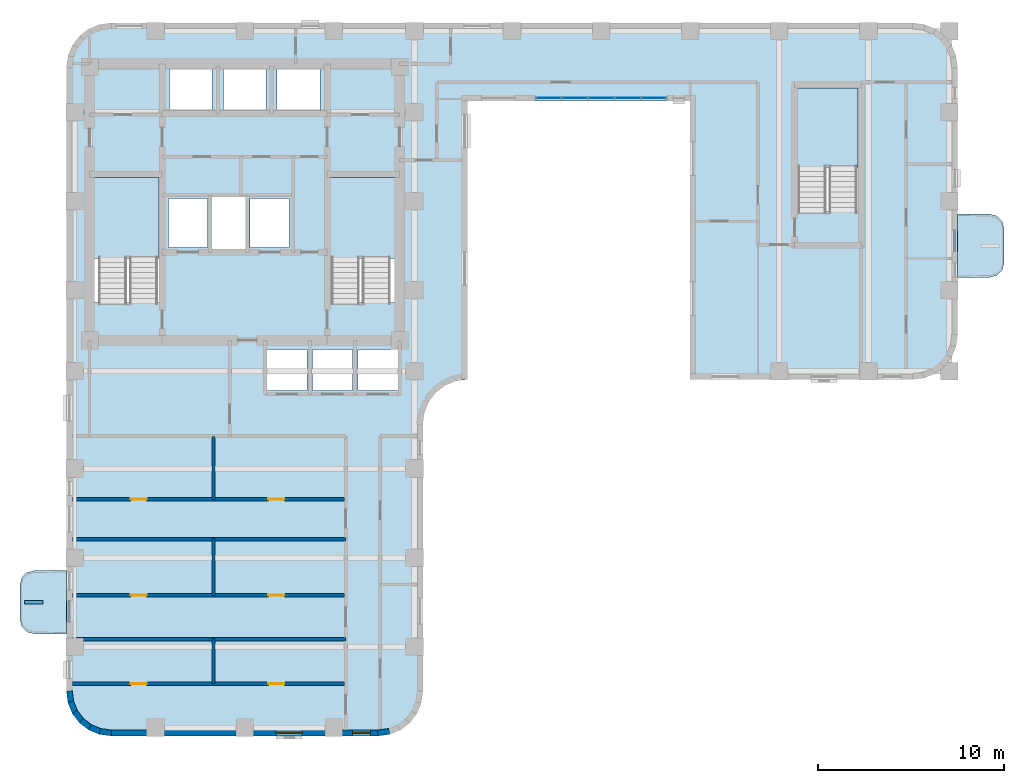
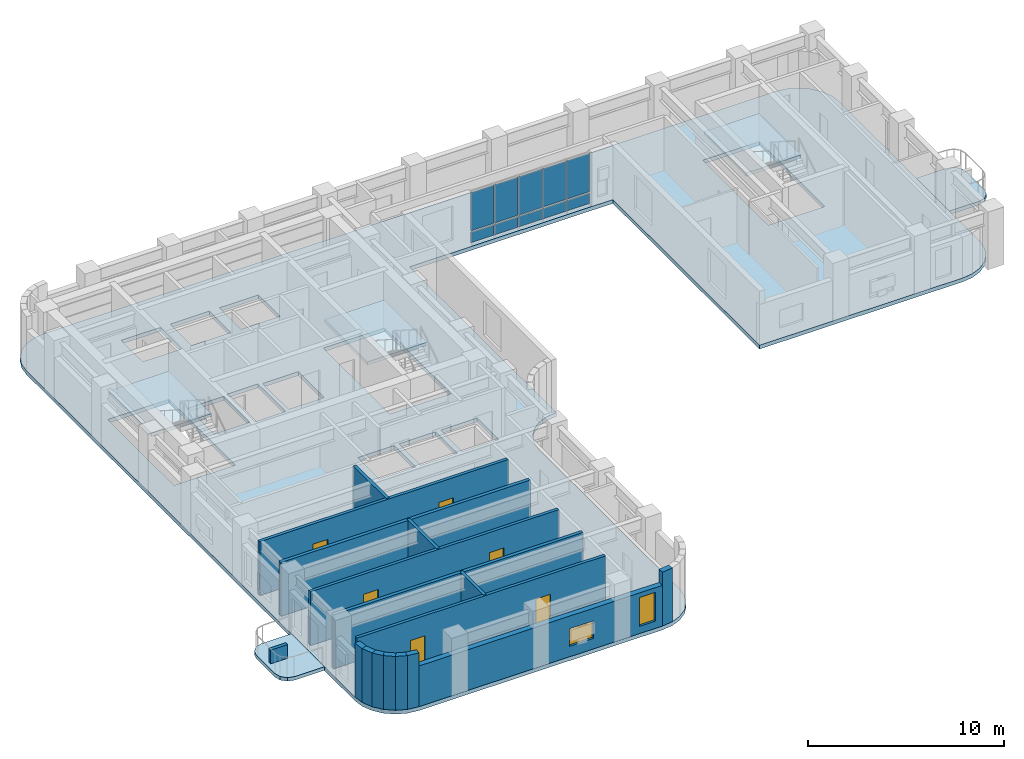
# One storey, part 3 of 11: 17 walls, 10 plates, 6 doors, 6 slabs, 2 windows, 8 openings, 4 elements without a shape of their own.
"""IFC4 building model written with IfcOpenShell, lengths in metres."""

from ifc_helpers import new_model, si_unit, direction, frame, frame_2d, origin, origin_2d, place, context, subcontext, project, spatial, polyline, rectangle, outline, extrude, material, layer, layer_set, type_object, element, fill, aggregate, save


model = new_model("IFC4")

# Units and contexts
model_context = context("Model", 3, precision=1e-05, world=origin(), true_north=direction((0.0, 1.0)))
body_context = subcontext(model_context, "Body", "Model", "MODEL_VIEW")
ifc_project = project(units=[si_unit("LENGTHUNIT", "METRE"), si_unit("AREAUNIT", "SQUARE_METRE"), si_unit("VOLUMEUNIT", "CUBIC_METRE"), si_unit("PLANEANGLEUNIT", "RADIAN"), si_unit("MASSUNIT", "GRAM", prefix="KILO")], contexts=[model_context])

# Site, building, storey
site_placement = place(None, origin())
site = spatial("IfcSite", under=ifc_project, at=site_placement, CompositionType="ELEMENT")
building_placement = place(site_placement, origin())
building = spatial("IfcBuilding", under=site, at=building_placement, Name="Orvandelia Arch Residences", CompositionType="ELEMENT")
storey_placement = place(building_placement, frame((0.0, 0.0, 157.60009765625)))
storey = spatial("IfcBuildingStorey", under=building, at=storey_placement, Name="L41", CompositionType="ELEMENT", Elevation=157.60009765625)

# Curtain wall, plates
ifc_material_1 = material(Name="Anodised Bronze Curtain Wall Assembly")
curtain_wall_type = type_object("IfcCurtainWallType", Name="CW-SYS4-PORTAL", PredefinedType="NOTDEFINED", material=ifc_material_1)
curtain_wall_placement = place(storey_placement, origin())
curtain_wall = element("IfcCurtainWall", 1, at=curtain_wall_placement, inside=storey, type_object=curtain_wall_type, Name="Void-Portal Bridge Curtain Wall L41 1", PredefinedType="NOTDEFINED")
ifc_material_2 = material(Name="Insulated Bronze Aluminium Spandrel Panel", Category="aluminium")
ifc_layer_1 = layer(ifc_material_2, 0.0400390625, Name="Insulated Bronze Aluminium Spandrel Panel", Category="aluminium")
ifc_layer_set_1 = layer_set([ifc_layer_1], Name="Insulated Bronze Aluminium Spandrel Panel")
plate_type_1 = type_object("IfcPlateType", Name="CW-PANEL-SPANDREL", PredefinedType="SHEET", material=ifc_layer_set_1)
plate_1_placement = place(storey_placement, frame((30.77197265625, 43.9599609375, 0.124755859375), z_axis=(0.0, 0.0, 1.0), x_axis=(1.0, 0.0, 0.0)))
plate_1 = element("IfcPlate", 2, at=plate_1_placement, type_object=plate_type_1, Name="Curtain Wall Spandrel Panel CW-L41-1-PS1", PredefinedType="SHEET", context=body_context, shape_type="SweptSolid", body=[
    extrude(rectangle(XDim=1.333984375, YDim=0.0400390625, at=origin_2d()), origin(), (0.0, 0.0, 1.0), 0.62646484375),
])
plate_2_placement = place(storey_placement, frame((32.176025390625, 43.9599609375, 0.124755859375), z_axis=(0.0, 0.0, 1.0), x_axis=(1.0, 0.0, 0.0)))
plate_2 = element("IfcPlate", 3, at=plate_2_placement, type_object=plate_type_1, Name="Curtain Wall Spandrel Panel CW-L41-1-PS2", PredefinedType="SHEET", context=body_context, shape_type="SweptSolid", body=[
    extrude(rectangle(XDim=1.3740234375, YDim=0.0400390625, at=origin_2d()), origin(), (0.0, 0.0, 1.0), 0.62646484375),
])
plate_3_placement = place(storey_placement, frame((33.60009765625, 43.9599609375, 0.124755859375), z_axis=(0.0, 0.0, 1.0), x_axis=(1.0, 0.0, 0.0)))
plate_3 = element("IfcPlate", 4, at=plate_3_placement, type_object=plate_type_1, Name="Curtain Wall Spandrel Panel CW-L41-1-PS3", PredefinedType="SHEET", context=body_context, shape_type="SweptSolid", body=[
    extrude(rectangle(XDim=1.3740234375, YDim=0.0400390625, at=origin_2d()), origin(), (0.0, 0.0, 1.0), 0.62646484375),
])
plate_4_placement = place(storey_placement, frame((35.02392578125, 43.9599609375, 0.124755859375), z_axis=(0.0, 0.0, 1.0), x_axis=(1.0, 0.0, 0.0)))
plate_4 = element("IfcPlate", 5, at=plate_4_placement, type_object=plate_type_1, Name="Curtain Wall Spandrel Panel CW-L41-1-PS4", PredefinedType="SHEET", context=body_context, shape_type="SweptSolid", body=[
    extrude(rectangle(XDim=1.3740234375, YDim=0.0400390625, at=origin_2d()), origin(), (0.0, 0.0, 1.0), 0.62646484375),
])
plate_5_placement = place(storey_placement, frame((36.427978515625, 43.9599609375, 0.124755859375), z_axis=(0.0, 0.0, 1.0), x_axis=(1.0, 0.0, 0.0)))
plate_5 = element("IfcPlate", 6, at=plate_5_placement, type_object=plate_type_1, Name="Curtain Wall Spandrel Panel CW-L41-1-PS5", PredefinedType="SHEET", context=body_context, shape_type="SweptSolid", body=[
    extrude(rectangle(XDim=1.333984375, YDim=0.0400390625, at=origin_2d()), origin(), (0.0, 0.0, 1.0), 0.62646484375),
])
ifc_material_3 = material(Name="Low-E Laminated Double Glazing", Category="glass")
ifc_layer_2 = layer(ifc_material_3, 0.031982421875, Name="Low-E Laminated Double Glazing", Category="glass")
ifc_layer_set_2 = layer_set([ifc_layer_2], Name="Low-E Laminated Double Glazing")
plate_type_2 = type_object("IfcPlateType", Name="CW-PANEL-VISION", PredefinedType="CURTAIN_PANEL", material=ifc_layer_set_2)
plate_6_placement = place(storey_placement, frame((30.77197265625, 43.9599609375, 0.861328125), z_axis=(0.0, 0.0, 1.0), x_axis=(1.0, 0.0, 0.0)))
plate_6 = element("IfcPlate", 7, at=plate_6_placement, type_object=plate_type_2, Name="Curtain Wall Vision Glass Panel CW-L41-1-PV1", PredefinedType="CURTAIN_PANEL", context=body_context, shape_type="SweptSolid", body=[
    extrude(rectangle(XDim=1.333984375, YDim=0.031982421875, at=origin_2d()), origin(), (0.0, 0.0, 1.0), 2.37353515625),
])
plate_7_placement = place(storey_placement, frame((32.176025390625, 43.9599609375, 0.861328125), z_axis=(0.0, 0.0, 1.0), x_axis=(1.0, 0.0, 0.0)))
plate_7 = element("IfcPlate", 8, at=plate_7_placement, type_object=plate_type_2, Name="Curtain Wall Vision Glass Panel CW-L41-1-PV2", PredefinedType="CURTAIN_PANEL", context=body_context, shape_type="SweptSolid", body=[
    extrude(rectangle(XDim=1.3740234375, YDim=0.031982421875, at=origin_2d()), origin(), (0.0, 0.0, 1.0), 2.37353515625),
])
plate_8_placement = place(storey_placement, frame((33.60009765625, 43.9599609375, 0.861328125), z_axis=(0.0, 0.0, 1.0), x_axis=(1.0, 0.0, 0.0)))
plate_8 = element("IfcPlate", 9, at=plate_8_placement, type_object=plate_type_2, Name="Curtain Wall Vision Glass Panel CW-L41-1-PV3", PredefinedType="CURTAIN_PANEL", context=body_context, shape_type="SweptSolid", body=[
    extrude(rectangle(XDim=1.3740234375, YDim=0.031982421875, at=origin_2d()), origin(), (0.0, 0.0, 1.0), 2.37353515625),
])
plate_9_placement = place(storey_placement, frame((35.02392578125, 43.9599609375, 0.861328125), z_axis=(0.0, 0.0, 1.0), x_axis=(1.0, 0.0, 0.0)))
plate_9 = element("IfcPlate", 10, at=plate_9_placement, type_object=plate_type_2, Name="Curtain Wall Vision Glass Panel CW-L41-1-PV4", PredefinedType="CURTAIN_PANEL", context=body_context, shape_type="SweptSolid", body=[
    extrude(rectangle(XDim=1.3740234375, YDim=0.031982421875, at=origin_2d()), origin(), (0.0, 0.0, 1.0), 2.37353515625),
])
plate_10_placement = place(storey_placement, frame((36.427978515625, 43.9599609375, 0.861328125), z_axis=(0.0, 0.0, 1.0), x_axis=(1.0, 0.0, 0.0)))
plate_10 = element("IfcPlate", 11, at=plate_10_placement, type_object=plate_type_2, Name="Curtain Wall Vision Glass Panel CW-L41-1-PV5", PredefinedType="CURTAIN_PANEL", context=body_context, shape_type="SweptSolid", body=[
    extrude(rectangle(XDim=1.333984375, YDim=0.031982421875, at=origin_2d()), origin(), (0.0, 0.0, 1.0), 2.37353515625),
])
aggregate(curtain_wall, [plate_1, plate_6, plate_2, plate_7, plate_3, plate_8, plate_4, plate_9, plate_5, plate_10])

# Slabs
ifc_material_4 = material(Name="Precast concrete C40/50", Category="concrete")
ifc_layer_3 = layer(ifc_material_4, 0.219970703125, Name="Precast concrete C40/50", Category="concrete")
ifc_layer_set_3 = layer_set([ifc_layer_3], Name="Precast concrete C40/50")
slab_type_1 = type_object("IfcSlabType", Name="SLB-BAL-220", PredefinedType="USERDEFINED", material=ifc_layer_set_3)
slab_1_placement = place(storey_placement, frame((0.0, 0.0, -0.22021484375)))
element("IfcSlab", 12, at=slab_1_placement, inside=storey, type_object=slab_type_1, Name="Tree Balcony Cantilever Slab BAL-L41-W1", ObjectType="BALCONY", PredefinedType="USERDEFINED", context=body_context, shape_type="SweptSolid", body=[
    extrude(outline(polyline([(4.800048828125, 15.10009765625), (4.800048828125, 18.5), (3.050048828125, 18.5), (2.675048828125, 18.3994140625), (2.400390625, 18.125), (2.300048828125, 17.75), (2.300048828125, 15.85009765625), (2.400390625, 15.47509765625), (2.675048828125, 15.200439453125), (3.050048828125, 15.10009765625), (4.800048828125, 15.10009765625)])), origin(), (0.0, 0.0, 1.0), 0.22021484375),
])
slab_2_placement = place(storey_placement, frame((0.0, 0.0, -0.22021484375)))
element("IfcSlab", 13, at=slab_2_placement, inside=storey, type_object=slab_type_1, Name="Tree Balcony Cantilever Slab BAL-L41-E1", ObjectType="BALCONY", PredefinedType="USERDEFINED", context=body_context, shape_type="SweptSolid", body=[
    extrude(outline(polyline([(52.800048828125, 37.699951171875), (52.800048828125, 34.300048828125), (54.550048828125, 34.300048828125), (54.925048828125, 34.400390625), (55.199462890625, 34.675048828125), (55.300048828125, 35.050048828125), (55.300048828125, 36.949951171875), (55.199462890625, 37.324951171875), (54.925048828125, 37.599609375), (54.550048828125, 37.699951171875), (52.800048828125, 37.699951171875)])), origin(), (0.0, 0.0, 1.0), 0.22021484375),
])

# Stair, slab
ifc_material_5 = material(Name="Concrete C40/50", Category="concrete")
stair_type = type_object("IfcStairType", Name="STAIR-RC-DOGLEG", PredefinedType="HALF_TURN_STAIR", material=ifc_material_5)
stair_1_placement = place(storey_placement, origin())
stair_1 = element("IfcStair", 14, at=stair_1_placement, inside=storey, type_object=stair_type, Name="L41 Protected Exit Stair ST-1", PredefinedType="HALF_TURN_STAIR")
ifc_layer_4 = layer(ifc_material_5, 0.219970703125, Name="Concrete C40/50", Category="concrete")
ifc_layer_set_4 = layer_set([ifc_layer_4], Name="Concrete C40/50")
slab_type_2 = type_object("IfcSlabType", Name="SLB-LANDING-220", PredefinedType="LANDING", material=ifc_layer_set_4)
slab_3_placement = place(storey_placement, frame((0.0, 0.0, 1.599853515625)))
slab_3 = element("IfcSlab", 15, at=slab_3_placement, type_object=slab_type_2, Name="ST-1 landing 1", PredefinedType="LANDING", context=body_context, shape_type="SweptSolid", body=[
    extrude(outline(polyline([(9.800048828125, 35.31005859375), (9.800048828125, 39.68994140625), (6.260009765625, 39.68994140625), (6.260009765625, 35.31005859375), (9.800048828125, 35.31005859375)])), origin(), (0.0, 0.0, 1.0), 0.199951171875),
])
aggregate(stair_1, [slab_3])

stair_2_placement = place(storey_placement, origin())
stair_2 = element("IfcStair", 16, at=stair_2_placement, inside=storey, type_object=stair_type, Name="L41 Protected Exit Stair ST-2", PredefinedType="HALF_TURN_STAIR")
slab_4_placement = place(storey_placement, frame((0.0, 0.0, 1.599853515625)))
slab_4 = element("IfcSlab", 17, at=slab_4_placement, type_object=slab_type_2, Name="ST-2 landing 1", PredefinedType="LANDING", context=body_context, shape_type="SweptSolid", body=[
    extrude(outline(polyline([(22.5400390625, 35.31005859375), (22.5400390625, 39.68994140625), (19.0, 39.68994140625), (19.0, 35.31005859375), (22.5400390625, 35.31005859375)])), origin(), (0.0, 0.0, 1.0), 0.199951171875),
])
aggregate(stair_2, [slab_4])

stair_3_placement = place(storey_placement, origin())
stair_3 = element("IfcStair", 18, at=stair_3_placement, inside=storey, type_object=stair_type, Name="L41 East Wing Exit Stair ST-3", PredefinedType="HALF_TURN_STAIR")
slab_5_placement = place(storey_placement, frame((0.0, 0.0, 1.599853515625)))
slab_5 = element("IfcSlab", 19, at=slab_5_placement, type_object=slab_type_2, Name="ST-3 landing 1", PredefinedType="LANDING", context=body_context, shape_type="SweptSolid", body=[
    extrude(outline(polyline([(47.43994140625, 40.2099609375), (47.43994140625, 44.5), (44.179931640625, 44.5), (44.179931640625, 40.2099609375), (47.43994140625, 40.2099609375)])), origin(), (0.0, 0.0, 1.0), 0.199951171875),
])
aggregate(stair_3, [slab_5])

# Slab
ifc_layer_5 = layer(ifc_material_5, 0.239990234375, Name="Concrete C40/50", Category="concrete")
ifc_layer_set_5 = layer_set([ifc_layer_5], Name="Concrete C40/50")
slab_type_3 = type_object("IfcSlabType", Name="SLB-TWR-240", PredefinedType="FLOOR", material=ifc_layer_set_5)
slab_6_placement = place(storey_placement, frame((0.0, 0.0, -0.239990234375)))
element("IfcSlab", 20, at=slab_6_placement, inside=storey, type_object=slab_type_3, Name="Structural Floor Slab L41-1", PredefinedType="FLOOR", context=body_context, shape_type="SweptSolid", body=[
    extrude(outline(polyline([(4.800048828125, 12.0), (4.8818359375, 11.37890625), (5.12158203125, 10.800048828125), (5.5029296875, 10.302978515625), (6.0, 9.92138671875), (6.578857421875, 9.681884765625), (7.199951171875, 9.60009765625), (21.60009765625, 9.60009765625), (22.22119140625, 9.681884765625), (22.800048828125, 9.92138671875), (23.297119140625, 10.302978515625), (23.678466796875, 10.800048828125), (23.918212890625, 11.37890625), (24.0, 12.0), (24.0, 26.39990234375), (24.081787109375, 27.021240234375), (24.321533203125, 27.60009765625), (24.702880859375, 28.09716796875), (25.199951171875, 28.478515625), (25.77880859375, 28.71826171875), (26.39990234375, 28.800048828125), (26.39990234375, 43.800048828125), (38.39990234375, 43.800048828125), (38.39990234375, 28.800048828125), (50.39990234375, 28.800048828125), (51.021240234375, 28.8818359375), (51.60009765625, 29.12158203125), (52.09716796875, 29.5029296875), (52.478515625, 30.0), (52.71826171875, 30.578857421875), (52.800048828125, 31.199951171875), (52.800048828125, 45.60009765625), (52.71826171875, 46.22119140625), (52.478515625, 46.800048828125), (52.09716796875, 47.297119140625), (51.60009765625, 47.678466796875), (51.021240234375, 47.918212890625), (50.39990234375, 48.0), (7.199951171875, 48.0), (6.578857421875, 47.918212890625), (6.0, 47.678466796875), (5.5029296875, 47.297119140625), (5.12158203125, 46.800048828125), (4.8818359375, 46.22119140625), (4.800048828125, 45.60009765625), (4.800048828125, 12.0)]), holes=[polyline([(6.219970703125, 32.949951171875), (9.840087890625, 32.949951171875), (9.840087890625, 39.72998046875), (6.219970703125, 39.72998046875), (6.219970703125, 32.949951171875)]), polyline([(18.9599609375, 32.949951171875), (22.580078125, 32.949951171875), (22.580078125, 39.72998046875), (18.9599609375, 39.72998046875), (18.9599609375, 32.949951171875)]), polyline([(44.139892578125, 37.85009765625), (47.47998046875, 37.85009765625), (47.47998046875, 44.5400390625), (44.139892578125, 44.5400390625), (44.139892578125, 37.85009765625)]), polyline([(12.639892578125, 35.81005859375), (14.4599609375, 35.81005859375), (14.4599609375, 38.639892578125), (12.639892578125, 38.639892578125), (12.639892578125, 35.81005859375)]), polyline([(10.300048828125, 35.89990234375), (12.39990234375, 35.89990234375), (12.39990234375, 38.550048828125), (10.300048828125, 38.550048828125), (10.300048828125, 35.89990234375)]), polyline([(14.699951171875, 35.89990234375), (16.800048828125, 35.89990234375), (16.800048828125, 38.550048828125), (14.699951171875, 38.550048828125), (14.699951171875, 35.89990234375)]), polyline([(10.35009765625, 43.300048828125), (12.64990234375, 43.300048828125), (12.64990234375, 45.5), (10.35009765625, 45.5), (10.35009765625, 43.300048828125)]), polyline([(13.25, 43.300048828125), (15.550048828125, 43.300048828125), (15.550048828125, 45.5), (13.25, 45.5), (13.25, 43.300048828125)]), polyline([(16.14990234375, 43.300048828125), (18.449951171875, 43.300048828125), (18.449951171875, 45.5), (16.14990234375, 45.5), (16.14990234375, 43.300048828125)]), polyline([(15.60009765625, 28.199951171875), (17.75, 28.199951171875), (17.75, 30.39990234375), (15.60009765625, 30.39990234375), (15.60009765625, 28.199951171875)]), polyline([(18.050048828125, 28.199951171875), (20.199951171875, 28.199951171875), (20.199951171875, 30.39990234375), (18.050048828125, 30.39990234375), (18.050048828125, 28.199951171875)]), polyline([(20.5, 28.199951171875), (22.64990234375, 28.199951171875), (22.64990234375, 30.39990234375), (20.5, 30.39990234375), (20.5, 28.199951171875)])]), origin(), (0.0, 0.0, 1.0), 0.239990234375),
])

# Walls
ifc_layer_6 = layer(ifc_material_5, 0.199951171875, Name="Concrete C40/50", Category="concrete")
ifc_layer_set_6 = layer_set([ifc_layer_6], Name="Concrete C40/50")
wall_type_1 = type_object("IfcWallType", Name="WL-DEM-200", PredefinedType="SOLIDWALL", material=ifc_layer_set_6)
for number, where, z_axis, x_axis, name in (
    (21, (5.1201171875, 14.800048828125, 0.0), (0.0, 0.0, 1.0), (1.0, 0.0, 0.0), "Interior Partition Wall WL-L41-DEM-WL-148"),
    (22, (5.1201171875, 20.199951171875, 0.0), (0.0, 0.0, 1.0), (1.0, 0.0, 0.0), "Interior Partition Wall WL-L41-DEM-WL-202"),
):
    element("IfcWall", number, at=place(storey_placement, frame(where, z_axis=z_axis, x_axis=x_axis)), inside=storey, type_object=wall_type_1, Name=name, PredefinedType="SOLIDWALL", context=body_context, shape_type="SweptSolid", body=[
        extrude(rectangle(XDim=14.72998046875, YDim=0.199951171875, at=frame_2d((7.364990234375, 0.0))), origin(), (0.0, 0.0, 1.0), 3.35986328125),
    ])
ifc_layer_7 = layer(ifc_material_4, 0.320068359375, Name="Precast concrete C40/50", Category="concrete")
ifc_layer_set_7 = layer_set([ifc_layer_7], Name="Precast concrete C40/50")
wall_type_2 = type_object("IfcWallType", Name="WL-EXT-STONE-320", PredefinedType="STANDARD", material=ifc_layer_set_7)
wall_1_placement = place(storey_placement, frame((22.2001953125, 9.84033203125, 0.0), z_axis=(0.0, 0.0, 1.0), x_axis=(-0.9914410257, -0.130555323746, 0.0)))
element("IfcWall", 23, at=wall_1_placement, inside=storey, type_object=wall_type_2, Name="Coral-Limestone Precast Facade Wall L41-038", PredefinedType="STANDARD", context=body_context, shape_type="SweptSolid", body=[
    extrude(rectangle(XDim=0.62646484375, YDim=0.320068359375, at=frame_2d((0.313232421875, 0.0))), origin(), (0.0, 0.0, 1.0), 3.35986328125),
])

# Wall, openings, windows
wall_2_placement = place(storey_placement, frame((21.60009765625, 9.760009765625, 0.0), z_axis=(0.0, 0.0, 1.0), x_axis=(-1.0, 0.0, 0.0)))
wall_2 = element("IfcWall", 24, at=wall_2_placement, inside=storey, type_object=wall_type_2, Name="Coral-Limestone Precast Facade Wall L41-039", PredefinedType="STANDARD", context=body_context, shape_type="SweptSolid", body=[
    extrude(rectangle(XDim=14.400146484375, YDim=0.320068359375, at=frame_2d((7.2001953125, 0.0))), origin(), (0.0, 0.0, 1.0), 2.539794921875),
])
opening_1_placement = place(wall_2_placement, frame((4.10009765625, 0.0, 0.64990234375)))
opening_1 = element("IfcOpeningElement", 25, at=opening_1_placement, cuts=wall_2, Name="Opening W10", PredefinedType="OPENING", context=body_context, shape_type="SweptSolid", body=[
    extrude(rectangle(XDim=1.39990234375, YDim=1.10009765625, at=frame_2d((0.699951171875, 0.550048828125))), frame((0.0, 0.169921875, 0.0), z_axis=(0.0, -1.0, 0.0), x_axis=(1.0, 0.0, 0.0)), (0.0, 0.0, 1.0), 0.340087890625),
])
opening_2_placement = place(wall_2_placement, frame((0.429931640625, 0.0, 0.449951171875)))
opening_2 = element("IfcOpeningElement", 26, at=opening_2_placement, cuts=wall_2, Name="Opening W4", PredefinedType="OPENING", context=body_context, shape_type="SweptSolid", body=[
    extrude(rectangle(XDim=0.949951171875, YDim=1.800048828125, at=frame_2d((0.47509765625, 0.89990234375))), frame((0.0, 0.169921875, 0.0), z_axis=(0.0, -1.0, 0.0), x_axis=(1.0, 0.0, 0.0)), (0.0, 0.0, 1.0), 0.340087890625),
])
ifc_material_6 = material(Name="Tempered Low-E Insulated Glazing", Category="glass")
window_type_1 = type_object("IfcWindowType", Name="WIN-CLR-1400x1100", PartitioningType="SINGLE_PANEL", PredefinedType="WINDOW", material=ifc_material_6)
window_1_placement = place(opening_1_placement, origin())
window_1 = element("IfcWindow", 27, at=window_1_placement, inside=storey, type_object=window_type_1, Name="Recessed Punched Window L41-018", OverallHeight=1.10009765625, OverallWidth=1.39990234375, PartitioningType="SINGLE_PANEL", PredefinedType="WINDOW", context=body_context, shape_type="SweptSolid", body=[
    extrude(rectangle(XDim=1.39990234375, YDim=1.10009765625, at=frame_2d((0.699951171875, 0.550048828125))), frame((0.0, 0.030029296875, 0.0), z_axis=(0.0, -1.0, 0.0), x_axis=(1.0, 0.0, 0.0)), (0.0, 0.0, 1.0), 0.06005859375),
])
fill(opening_1, window_1)
window_type_2 = type_object("IfcWindowType", Name="WIN-RES-0950x1800", PartitioningType="SINGLE_PANEL", PredefinedType="WINDOW", material=ifc_material_6)
window_2_placement = place(opening_2_placement, origin())
window_2 = element("IfcWindow", 28, at=window_2_placement, inside=storey, type_object=window_type_2, Name="Recessed Punched Window L41-019", OverallHeight=1.800048828125, OverallWidth=0.949951171875, PartitioningType="SINGLE_PANEL", PredefinedType="WINDOW", context=body_context, shape_type="SweptSolid", body=[
    extrude(rectangle(XDim=0.949951171875, YDim=1.800048828125, at=frame_2d((0.47509765625, 0.89990234375))), frame((0.0, 0.030029296875, 0.0), z_axis=(0.0, -1.0, 0.0), x_axis=(1.0, 0.0, 0.0)), (0.0, 0.0, 1.0), 0.06005859375),
])
fill(opening_2, window_2)

# Walls
wall_3_placement = place(storey_placement, frame((7.220947265625, 9.758544921875, 0.0), z_axis=(0.0, 0.0, 1.0), x_axis=(-0.991447664465, 0.130504898859, 0.0)))
element("IfcWall", 29, at=wall_3_placement, inside=storey, type_object=wall_type_2, Name="Coral-Limestone Precast Facade Wall L41-040", PredefinedType="STANDARD", context=body_context, shape_type="SweptSolid", body=[
    extrude(rectangle(XDim=0.626708984375, YDim=0.320068359375, at=frame_2d((0.3134765625, 0.0))), origin(), (0.0, 0.0, 1.0), 3.35986328125),
])
wall_4_placement = place(storey_placement, frame((6.639892578125, 9.82958984375, 0.0), z_axis=(0.0, 0.0, 1.0), x_axis=(-0.923836271867, 0.382787856107, 0.0)))
element("IfcWall", 30, at=wall_4_placement, inside=storey, type_object=wall_type_2, Name="Coral-Limestone Precast Facade Wall L41-041", PredefinedType="STANDARD", context=body_context, shape_type="SweptSolid", body=[
    extrude(rectangle(XDim=0.626220703125, YDim=0.320068359375, at=frame_2d((0.31298828125, 0.0))), origin(), (0.0, 0.0, 1.0), 3.35986328125),
])
wall_5_placement = place(storey_placement, frame((6.097412109375, 10.04833984375, 0.0), z_axis=(0.0, 0.0, 1.0), x_axis=(-0.793405610854, 0.608693302629, 0.0)))
element("IfcWall", 31, at=wall_5_placement, inside=storey, type_object=wall_type_2, Name="Coral-Limestone Precast Facade Wall L41-042", PredefinedType="STANDARD", context=body_context, shape_type="SweptSolid", body=[
    extrude(rectangle(XDim=0.62646484375, YDim=0.320068359375, at=frame_2d((0.313232421875, 0.0))), origin(), (0.0, 0.0, 1.0), 3.35986328125),
])
wall_6_placement = place(storey_placement, frame((5.6298828125, 10.400390625, 0.0), z_axis=(0.0, 0.0, 1.0), x_axis=(-0.608938521285, 0.7932174212, 0.0)))
element("IfcWall", 32, at=wall_6_placement, inside=storey, type_object=wall_type_2, Name="Coral-Limestone Precast Facade Wall L41-043", PredefinedType="STANDARD", context=body_context, shape_type="SweptSolid", body=[
    extrude(rectangle(XDim=0.626708984375, YDim=0.320068359375, at=frame_2d((0.3134765625, 0.0))), origin(), (0.0, 0.0, 1.0), 3.35986328125),
])
wall_7_placement = place(storey_placement, frame((5.269287109375, 10.861083984375, 0.0), z_axis=(0.0, 0.0, 1.0), x_axis=(-0.382650053678, 0.92389335771, 0.0)))
element("IfcWall", 33, at=wall_7_placement, inside=storey, type_object=wall_type_2, Name="Coral-Limestone Precast Facade Wall L41-044", PredefinedType="STANDARD", context=body_context, shape_type="SweptSolid", body=[
    extrude(rectangle(XDim=0.62646484375, YDim=0.320068359375, at=frame_2d((0.313232421875, 0.0))), origin(), (0.0, 0.0, 1.0), 3.35986328125),
])
wall_8_placement = place(storey_placement, frame((5.040283203125, 11.399658203125, 0.0), z_axis=(0.0, 0.0, 1.0), x_axis=(-0.130504898859, 0.991447664465, 0.0)))
element("IfcWall", 34, at=wall_8_placement, inside=storey, type_object=wall_type_2, Name="Coral-Limestone Precast Facade Wall L41-045", PredefinedType="STANDARD", context=body_context, shape_type="SweptSolid", body=[
    extrude(rectangle(XDim=0.626708984375, YDim=0.320068359375, at=frame_2d((0.3134765625, 0.0))), origin(), (0.0, 0.0, 1.0), 3.35986328125),
])
ifc_layer_8 = layer(ifc_material_4, 0.199951171875, Name="Precast concrete C40/50", Category="concrete")
ifc_layer_set_8 = layer_set([ifc_layer_8], Name="Precast concrete C40/50")
wall_type_3 = type_object("IfcWallType", Name="WL-PLANTER-200", PredefinedType="MOVABLE", material=ifc_layer_set_8)
wall_9_placement = place(storey_placement, frame((2.550048828125, 16.800048828125, 0.0), z_axis=(0.0, 0.0, 1.0), x_axis=(1.0, 0.0, 0.0)))
element("IfcWall", 35, at=wall_9_placement, inside=storey, type_object=wall_type_3, Name="Balcony Precast Tree Planter BAL-L41-W1", PredefinedType="MOVABLE", context=body_context, shape_type="SweptSolid", body=[
    extrude(rectangle(XDim=1.0, YDim=0.199951171875, at=frame_2d((0.5, 0.0))), origin(), (0.0, 0.0, 1.0), 0.849853515625),
])

# Wall, openings, doors
ifc_material_7 = material(Name="Moisture-Resistant Plumbing Wall")
ifc_layer_9 = layer(ifc_material_7, 0.179931640625, Name="Moisture-Resistant Plumbing Wall")
ifc_layer_set_9 = layer_set([ifc_layer_9], Name="Moisture-Resistant Plumbing Wall")
wall_type_4 = type_object("IfcWallType", Name="WL-WET-180", PredefinedType="PLUMBINGWALL", material=ifc_layer_set_9)
wall_10_placement = place(storey_placement, frame((5.1201171875, 12.409912109375, 0.0), z_axis=(0.0, 0.0, 1.0), x_axis=(1.0, 0.0, 0.0)))
wall_10 = element("IfcWall", 36, at=wall_10_placement, inside=storey, type_object=wall_type_4, Name="Interior Partition Wall WL-L41-U01-HZ", PredefinedType="PLUMBINGWALL", context=body_context, shape_type="SweptSolid", body=[
    extrude(rectangle(XDim=14.669921875, YDim=0.179931640625, at=frame_2d((7.3349609375, 0.0))), origin(), (0.0, 0.0, 1.0), 3.35986328125),
])
opening_3_placement = place(wall_10_placement, frame((3.14501953125, 0.0, 0.0)))
opening_3 = element("IfcOpeningElement", 37, at=opening_3_placement, cuts=wall_10, Name="Opening D4", PredefinedType="OPENING", context=body_context, shape_type="SweptSolid", body=[
    extrude(rectangle(XDim=0.860107421875, YDim=2.10009765625, at=frame_2d((0.43017578125, 1.050048828125))), frame((0.0, 0.10009765625, 0.0), z_axis=(0.0, -1.0, 0.0), x_axis=(1.0, 0.0, 0.0)), (0.0, 0.0, 1.0), 0.199951171875),
])
opening_4_placement = place(wall_10_placement, frame((10.56005859375, 0.0, 0.0)))
opening_4 = element("IfcOpeningElement", 38, at=opening_4_placement, cuts=wall_10, Name="Opening D4", PredefinedType="OPENING", context=body_context, shape_type="SweptSolid", body=[
    extrude(rectangle(XDim=0.860107421875, YDim=2.10009765625, at=frame_2d((0.43017578125, 1.050048828125))), frame((0.0, 0.10009765625, 0.0), z_axis=(0.0, -1.0, 0.0), x_axis=(1.0, 0.0, 0.0)), (0.0, 0.0, 1.0), 0.199951171875),
])
ifc_material_8 = material(Name="Moisture-Sealed Timber Bathroom Door", Category="wood")
door_type = type_object("IfcDoorType", Name="DR-WET-900", OperationType="NOTDEFINED", PredefinedType="DOOR", material=ifc_material_8)
door_1_placement = place(opening_3_placement, origin())
door_1 = element("IfcDoor", 39, at=door_1_placement, inside=storey, type_object=door_type, Name="DR-L41-U01-KIT", OperationType="SINGLE_SWING_LEFT", OverallHeight=2.10009765625, OverallWidth=0.860107421875, PredefinedType="DOOR", context=body_context, shape_type="SweptSolid", body=[
    extrude(rectangle(XDim=0.860107421875, YDim=2.10009765625, at=frame_2d((0.43017578125, 1.050048828125))), frame((0.0, 0.02490234375, 0.0), z_axis=(0.0, -1.0, 0.0), x_axis=(1.0, 0.0, 0.0)), (0.0, 0.0, 1.0), 0.050048828125),
])
fill(opening_3, door_1)
door_2_placement = place(opening_4_placement, origin())
door_2 = element("IfcDoor", 40, at=door_2_placement, inside=storey, type_object=door_type, Name="DR-L41-U01-BTH", OperationType="SINGLE_SWING_RIGHT", OverallHeight=2.10009765625, OverallWidth=0.860107421875, PredefinedType="DOOR", context=body_context, shape_type="SweptSolid", body=[
    extrude(rectangle(XDim=0.860107421875, YDim=2.10009765625, at=frame_2d((0.43017578125, 1.050048828125))), frame((0.0, 0.02490234375, 0.0), z_axis=(0.0, -1.0, 0.0), x_axis=(1.0, 0.0, 0.0)), (0.0, 0.0, 1.0), 0.050048828125),
])
fill(opening_4, door_2)

# Wall
wall_11_placement = place(storey_placement, frame((12.719970703125, 12.409912109375, 0.0), z_axis=(0.0, 0.0, 1.0), x_axis=(0.0, 1.0, 0.0)))
element("IfcWall", 41, at=wall_11_placement, inside=storey, type_object=wall_type_4, Name="Interior Partition Wall WL-L41-U01-V1", PredefinedType="PLUMBINGWALL", context=body_context, shape_type="SweptSolid", body=[
    extrude(rectangle(XDim=2.43017578125, YDim=0.179931640625, at=frame_2d((1.215087890625, 0.0))), origin(), (0.0, 0.0, 1.0), 3.35986328125),
])

# Wall, openings, doors
wall_12_placement = place(storey_placement, frame((5.1201171875, 17.176025390625, 0.0), z_axis=(0.0, 0.0, 1.0), x_axis=(1.0, 0.0, 0.0)))
wall_12 = element("IfcWall", 42, at=wall_12_placement, inside=storey, type_object=wall_type_4, Name="Interior Partition Wall WL-L41-U02-HZ", PredefinedType="PLUMBINGWALL", context=body_context, shape_type="SweptSolid", body=[
    extrude(rectangle(XDim=14.669921875, YDim=0.179931640625, at=frame_2d((7.3349609375, 0.0))), origin(), (0.0, 0.0, 1.0), 3.35986328125),
])
opening_5_placement = place(wall_12_placement, frame((3.14501953125, 0.0, 0.0)))
opening_5 = element("IfcOpeningElement", 43, at=opening_5_placement, cuts=wall_12, Name="Opening D4", PredefinedType="OPENING", context=body_context, shape_type="SweptSolid", body=[
    extrude(rectangle(XDim=0.860107421875, YDim=2.10009765625, at=frame_2d((0.43017578125, 1.050048828125))), frame((0.0, 0.10009765625, 0.0), z_axis=(0.0, -1.0, 0.0), x_axis=(1.0, 0.0, 0.0)), (0.0, 0.0, 1.0), 0.199951171875),
])
opening_6_placement = place(wall_12_placement, frame((10.56005859375, 0.0, 0.0)))
opening_6 = element("IfcOpeningElement", 44, at=opening_6_placement, cuts=wall_12, Name="Opening D4", PredefinedType="OPENING", context=body_context, shape_type="SweptSolid", body=[
    extrude(rectangle(XDim=0.860107421875, YDim=2.10009765625, at=frame_2d((0.43017578125, 1.050048828125))), frame((0.0, 0.10009765625, 0.0), z_axis=(0.0, -1.0, 0.0), x_axis=(1.0, 0.0, 0.0)), (0.0, 0.0, 1.0), 0.199951171875),
])
door_3_placement = place(opening_5_placement, origin())
door_3 = element("IfcDoor", 45, at=door_3_placement, inside=storey, type_object=door_type, Name="DR-L41-U02-KIT", OperationType="SINGLE_SWING_RIGHT", OverallHeight=2.10009765625, OverallWidth=0.860107421875, PredefinedType="DOOR", context=body_context, shape_type="SweptSolid", body=[
    extrude(rectangle(XDim=0.860107421875, YDim=2.10009765625, at=frame_2d((0.43017578125, 1.050048828125))), frame((0.0, 0.02490234375, 0.0), z_axis=(0.0, -1.0, 0.0), x_axis=(1.0, 0.0, 0.0)), (0.0, 0.0, 1.0), 0.050048828125),
])
fill(opening_5, door_3)
door_4_placement = place(opening_6_placement, origin())
door_4 = element("IfcDoor", 46, at=door_4_placement, inside=storey, type_object=door_type, Name="DR-L41-U02-BTH", OperationType="SINGLE_SWING_LEFT", OverallHeight=2.10009765625, OverallWidth=0.860107421875, PredefinedType="DOOR", context=body_context, shape_type="SweptSolid", body=[
    extrude(rectangle(XDim=0.860107421875, YDim=2.10009765625, at=frame_2d((0.43017578125, 1.050048828125))), frame((0.0, 0.02490234375, 0.0), z_axis=(0.0, -1.0, 0.0), x_axis=(1.0, 0.0, 0.0)), (0.0, 0.0, 1.0), 0.050048828125),
])
fill(opening_6, door_4)

# Wall
wall_13_placement = place(storey_placement, frame((12.719970703125, 17.176025390625, 0.0), z_axis=(0.0, 0.0, 1.0), x_axis=(0.0, 1.0, 0.0)))
element("IfcWall", 47, at=wall_13_placement, inside=storey, type_object=wall_type_4, Name="Interior Partition Wall WL-L41-U02-V1", PredefinedType="PLUMBINGWALL", context=body_context, shape_type="SweptSolid", body=[
    extrude(rectangle(XDim=3.06396484375, YDim=0.179931640625, at=frame_2d((1.531982421875, 0.0))), origin(), (0.0, 0.0, 1.0), 3.35986328125),
])

# Wall, openings, doors
wall_14_placement = place(storey_placement, frame((5.1201171875, 22.340087890625, 0.0), z_axis=(0.0, 0.0, 1.0), x_axis=(1.0, 0.0, 0.0)))
wall_14 = element("IfcWall", 48, at=wall_14_placement, inside=storey, type_object=wall_type_4, Name="Interior Partition Wall WL-L41-U03-HZ", PredefinedType="PLUMBINGWALL", context=body_context, shape_type="SweptSolid", body=[
    extrude(rectangle(XDim=14.669921875, YDim=0.179931640625, at=frame_2d((7.3349609375, 0.0))), origin(), (0.0, 0.0, 1.0), 3.35986328125),
])
opening_7_placement = place(wall_14_placement, frame((3.14501953125, 0.0, 0.0)))
opening_7 = element("IfcOpeningElement", 49, at=opening_7_placement, cuts=wall_14, Name="Opening D4", PredefinedType="OPENING", context=body_context, shape_type="SweptSolid", body=[
    extrude(rectangle(XDim=0.860107421875, YDim=2.10009765625, at=frame_2d((0.43017578125, 1.050048828125))), frame((0.0, 0.10009765625, 0.0), z_axis=(0.0, -1.0, 0.0), x_axis=(1.0, 0.0, 0.0)), (0.0, 0.0, 1.0), 0.199951171875),
])
opening_8_placement = place(wall_14_placement, frame((10.56005859375, 0.0, 0.0)))
opening_8 = element("IfcOpeningElement", 50, at=opening_8_placement, cuts=wall_14, Name="Opening D4", PredefinedType="OPENING", context=body_context, shape_type="SweptSolid", body=[
    extrude(rectangle(XDim=0.860107421875, YDim=2.10009765625, at=frame_2d((0.43017578125, 1.050048828125))), frame((0.0, 0.10009765625, 0.0), z_axis=(0.0, -1.0, 0.0), x_axis=(1.0, 0.0, 0.0)), (0.0, 0.0, 1.0), 0.199951171875),
])
door_5_placement = place(opening_7_placement, origin())
door_5 = element("IfcDoor", 51, at=door_5_placement, inside=storey, type_object=door_type, Name="DR-L41-U03-KIT", OperationType="SINGLE_SWING_LEFT", OverallHeight=2.10009765625, OverallWidth=0.860107421875, PredefinedType="DOOR", context=body_context, shape_type="SweptSolid", body=[
    extrude(rectangle(XDim=0.860107421875, YDim=2.10009765625, at=frame_2d((0.43017578125, 1.050048828125))), frame((0.0, 0.02490234375, 0.0), z_axis=(0.0, -1.0, 0.0), x_axis=(1.0, 0.0, 0.0)), (0.0, 0.0, 1.0), 0.050048828125),
])
fill(opening_7, door_5)
door_6_placement = place(opening_8_placement, origin())
door_6 = element("IfcDoor", 52, at=door_6_placement, inside=storey, type_object=door_type, Name="DR-L41-U03-BTH", OperationType="SINGLE_SWING_RIGHT", OverallHeight=2.10009765625, OverallWidth=0.860107421875, PredefinedType="DOOR", context=body_context, shape_type="SweptSolid", body=[
    extrude(rectangle(XDim=0.860107421875, YDim=2.10009765625, at=frame_2d((0.43017578125, 1.050048828125))), frame((0.0, 0.02490234375, 0.0), z_axis=(0.0, -1.0, 0.0), x_axis=(1.0, 0.0, 0.0)), (0.0, 0.0, 1.0), 0.050048828125),
])
fill(opening_8, door_6)

# Wall
wall_15_placement = place(storey_placement, frame((12.719970703125, 22.340087890625, 0.0), z_axis=(0.0, 0.0, 1.0), x_axis=(0.0, 1.0, 0.0)))
element("IfcWall", 53, at=wall_15_placement, inside=storey, type_object=wall_type_4, Name="Interior Partition Wall WL-L41-U03-V1", PredefinedType="PLUMBINGWALL", context=body_context, shape_type="SweptSolid", body=[
    extrude(rectangle(XDim=3.3798828125, YDim=0.179931640625, at=frame_2d((1.68994140625, 0.0))), origin(), (0.0, 0.0, 1.0), 3.35986328125),
])

save(model, "model.ifc")
